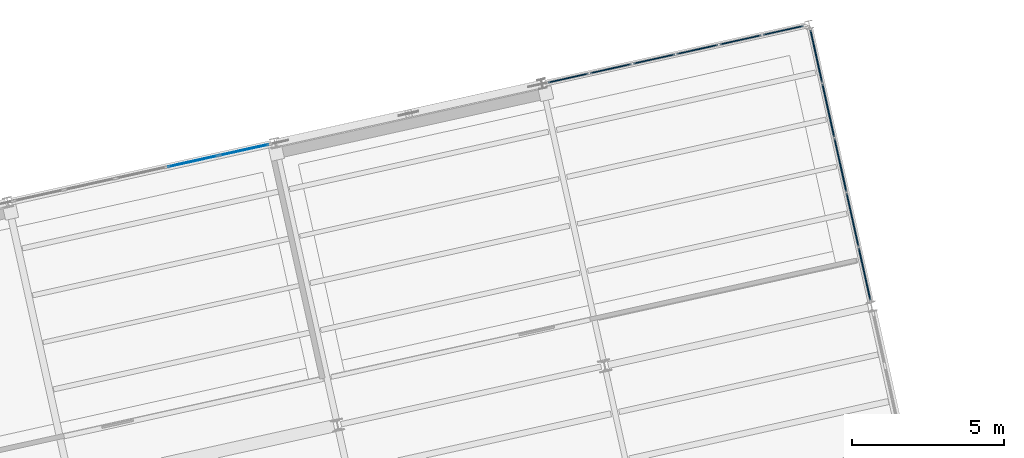
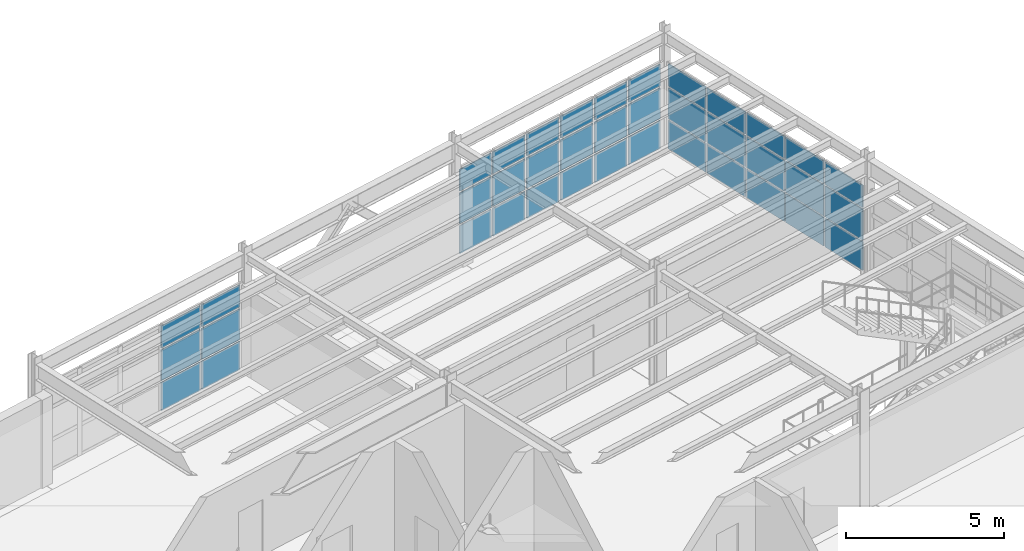
# One storey, part 73 of 102: 39 plates, 3 elements without a shape of their own.
"""IFC4 building model written with IfcOpenShell, lengths in metres."""

from ifc_helpers import new_model, si_unit, direction, frame, origin, origin_2d, place, context, subcontext, project, spatial, rectangle, extrude, material, layer, layer_set, type_object, element, aggregate, save


model = new_model("IFC4")

# Units and contexts
model_context = context("Model", 3, precision=1e-05, world=origin(), true_north=direction((0.0, 1.0)))
body_context = subcontext(model_context, "Body", "Model", "MODEL_VIEW")
ifc_project = project(units=[si_unit("LENGTHUNIT", "METRE"), si_unit("AREAUNIT", "SQUARE_METRE"), si_unit("VOLUMEUNIT", "CUBIC_METRE"), si_unit("PLANEANGLEUNIT", "RADIAN"), si_unit("MASSUNIT", "GRAM", prefix="KILO")], contexts=[model_context])

# Site, building, storey
site_placement = place(None, origin())
site = spatial("IfcSite", under=ifc_project, at=site_placement, CompositionType="ELEMENT")
building_placement = place(site_placement, origin())
building = spatial("IfcBuilding", under=site, at=building_placement, Name="Vireo Bluff Cable Station", CompositionType="ELEMENT")
storey_placement = place(building_placement, frame((0.0, 0.0, 9.60009765625)))
storey = spatial("IfcBuildingStorey", under=building, at=storey_placement, Name="L02", CompositionType="ELEMENT", Elevation=9.60009765625)

# Curtain wall, plates
ifc_material_1 = material(Name="Anodized Aluminium 6063-T6", Category="aluminium")
ifc_layer_1 = layer(ifc_material_1, 0.179931640625, Name="Anodized Aluminium 6063-T6")
ifc_layer_set_1 = layer_set([ifc_layer_1], Name="Anodized Aluminium 6063-T6")
curtain_wall_type_1 = type_object("IfcCurtainWallType", Name="CW-UNIT-1650", PredefinedType="USERDEFINED", material=ifc_layer_set_1)
curtain_wall_1_placement = place(storey_placement, origin())
curtain_wall_1 = element("IfcCurtainWall", 1, at=curtain_wall_1_placement, inside=storey, type_object=curtain_wall_type_1, Name="V2 L02 north curtain wall CW-056", ObjectType="UNITISED CURTAIN WALL", PredefinedType="USERDEFINED")
ifc_material_2 = material(Name="Laminated Low-E Insulated Glass", Category="glass")
ifc_layer_2 = layer(ifc_material_2, 0.031982421875, Name="Laminated Low-E Insulated Glass")
ifc_layer_set_2 = layer_set([ifc_layer_2], Name="Laminated Low-E Insulated Glass")
plate_type_1 = type_object("IfcPlateType", Name="CWP-32-2", PredefinedType="CURTAIN_PANEL", material=ifc_layer_set_2)
plate_1_placement = place(storey_placement, frame((134.708251953125, 105.12255859375, 0.06494140625), z_axis=(0.0, 0.0, 1.0), x_axis=(0.976296009224, 0.216439604447, 0.0)))
plate_1 = element("IfcPlate", 2, at=plate_1_placement, type_object=plate_type_1, Name="CW-056 panel 4.1", PredefinedType="CURTAIN_PANEL", context=body_context, shape_type="SweptSolid", body=[
    extrude(rectangle(XDim=1.672119140625, YDim=0.031982421875, at=origin_2d()), origin(), (0.0, 0.0, 1.0), 1.092529296875),
])
plate_2_placement = place(storey_placement, frame((134.708251953125, 105.12255859375, 1.22216796875), z_axis=(0.0, 0.0, 1.0), x_axis=(0.976296009224, 0.216439604447, 0.0)))
plate_2 = element("IfcPlate", 3, at=plate_2_placement, type_object=plate_type_1, Name="CW-056 panel 4.2", PredefinedType="CURTAIN_PANEL", context=body_context, shape_type="SweptSolid", body=[
    extrude(rectangle(XDim=1.672119140625, YDim=0.031982421875, at=origin_2d()), origin(), (0.0, 0.0, 1.0), 1.193115234375),
])
plate_3_placement = place(storey_placement, frame((134.708251953125, 105.12255859375, 2.48046875), z_axis=(0.0, 0.0, 1.0), x_axis=(0.976296009224, 0.216439604447, 0.0)))
plate_3 = element("IfcPlate", 4, at=plate_3_placement, type_object=plate_type_1, Name="CW-056 panel 4.3", PredefinedType="CURTAIN_PANEL", context=body_context, shape_type="SweptSolid", body=[
    extrude(rectangle(XDim=1.672119140625, YDim=0.031982421875, at=origin_2d()), origin(), (0.0, 0.0, 1.0), 0.8544921875),
])
plate_4_placement = place(storey_placement, frame((136.38818359375, 105.494873046875, 0.06494140625), z_axis=(0.0, 0.0, 1.0), x_axis=(0.976296009224, 0.216439604447, 0.0)))
plate_4 = element("IfcPlate", 5, at=plate_4_placement, type_object=plate_type_1, Name="CW-056 panel 5.1", PredefinedType="CURTAIN_PANEL", context=body_context, shape_type="SweptSolid", body=[
    extrude(rectangle(XDim=1.639404296875, YDim=0.031982421875, at=origin_2d()), origin(), (0.0, 0.0, 1.0), 1.092529296875),
])
plate_5_placement = place(storey_placement, frame((136.38818359375, 105.494873046875, 1.22216796875), z_axis=(0.0, 0.0, 1.0), x_axis=(0.976296009224, 0.216439604447, 0.0)))
plate_5 = element("IfcPlate", 6, at=plate_5_placement, type_object=plate_type_1, Name="CW-056 panel 5.2", PredefinedType="CURTAIN_PANEL", context=body_context, shape_type="SweptSolid", body=[
    extrude(rectangle(XDim=1.639404296875, YDim=0.031982421875, at=origin_2d()), origin(), (0.0, 0.0, 1.0), 1.193115234375),
])
plate_6_placement = place(storey_placement, frame((136.38818359375, 105.494873046875, 2.48046875), z_axis=(0.0, 0.0, 1.0), x_axis=(0.976296009224, 0.216439604447, 0.0)))
plate_6 = element("IfcPlate", 7, at=plate_6_placement, type_object=plate_type_1, Name="CW-056 panel 5.3", PredefinedType="CURTAIN_PANEL", context=body_context, shape_type="SweptSolid", body=[
    extrude(rectangle(XDim=1.639404296875, YDim=0.031982421875, at=origin_2d()), origin(), (0.0, 0.0, 1.0), 0.8544921875),
])
aggregate(curtain_wall_1, [plate_1, plate_2, plate_3, plate_4, plate_5, plate_6])

ifc_layer_3 = layer(ifc_material_1, 0.179931640625, Name="Anodized Aluminium 6063-T6")
ifc_layer_set_3 = layer_set([ifc_layer_3], Name="Anodized Aluminium 6063-T6")
curtain_wall_type_2 = type_object("IfcCurtainWallType", Name="CW-UNIT-1400", PredefinedType="USERDEFINED", material=ifc_layer_set_3)
curtain_wall_2_placement = place(storey_placement, origin())
curtain_wall_2 = element("IfcCurtainWall", 8, at=curtain_wall_2_placement, inside=storey, type_object=curtain_wall_type_2, Name="V2 L02 north curtain wall CW-057", ObjectType="UNITISED CURTAIN WALL", PredefinedType="USERDEFINED")
ifc_layer_4 = layer(ifc_material_2, 0.035888671875, Name="Laminated Low-E Insulated Glass")
ifc_layer_set_4 = layer_set([ifc_layer_4], Name="Laminated Low-E Insulated Glass")
plate_type_2 = type_object("IfcPlateType", Name="CWP-36-3", PredefinedType="CURTAIN_PANEL", material=ifc_layer_set_4)
plate_7_placement = place(storey_placement, frame((147.046875, 107.85791015625, 0.0751953125), z_axis=(0.0, 0.0, 1.0), x_axis=(0.976296006776, 0.216439615489, 0.0)))
plate_7 = element("IfcPlate", 9, at=plate_7_placement, type_object=plate_type_2, Name="CW-057 panel 1.1", PredefinedType="CURTAIN_PANEL", context=body_context, shape_type="SweptSolid", body=[
    extrude(rectangle(XDim=1.344482421875, YDim=0.035888671875, at=origin_2d()), origin(), (0.0, 0.0, 1.0), 1.077392578125),
])
plate_8_placement = place(storey_placement, frame((147.046875, 107.85791015625, 1.227294921875), z_axis=(0.0, 0.0, 1.0), x_axis=(0.976296006776, 0.216439615489, 0.0)))
plate_8 = element("IfcPlate", 10, at=plate_8_placement, type_object=plate_type_2, Name="CW-057 panel 1.2", PredefinedType="CURTAIN_PANEL", context=body_context, shape_type="SweptSolid", body=[
    extrude(rectangle(XDim=1.344482421875, YDim=0.035888671875, at=origin_2d()), origin(), (0.0, 0.0, 1.0), 1.18310546875),
])
plate_9_placement = place(storey_placement, frame((147.046875, 107.85791015625, 2.4853515625), z_axis=(0.0, 0.0, 1.0), x_axis=(0.976296006776, 0.216439615489, 0.0)))
plate_9 = element("IfcPlate", 11, at=plate_9_placement, type_object=plate_type_2, Name="CW-057 panel 1.3", PredefinedType="CURTAIN_PANEL", context=body_context, shape_type="SweptSolid", body=[
    extrude(rectangle(XDim=1.344482421875, YDim=0.035888671875, at=origin_2d()), origin(), (0.0, 0.0, 1.0), 0.839599609375),
])
plate_10_placement = place(storey_placement, frame((148.450927734375, 108.169189453125, 0.0751953125), z_axis=(0.0, 0.0, 1.0), x_axis=(0.976296006776, 0.216439615489, 0.0)))
plate_10 = element("IfcPlate", 12, at=plate_10_placement, type_object=plate_type_2, Name="CW-057 panel 2.1", PredefinedType="CURTAIN_PANEL", context=body_context, shape_type="SweptSolid", body=[
    extrude(rectangle(XDim=1.3818359375, YDim=0.035888671875, at=origin_2d()), origin(), (0.0, 0.0, 1.0), 1.077392578125),
])
plate_11_placement = place(storey_placement, frame((148.450927734375, 108.169189453125, 1.227294921875), z_axis=(0.0, 0.0, 1.0), x_axis=(0.976296006776, 0.216439615489, 0.0)))
plate_11 = element("IfcPlate", 13, at=plate_11_placement, type_object=plate_type_2, Name="CW-057 panel 2.2", PredefinedType="CURTAIN_PANEL", context=body_context, shape_type="SweptSolid", body=[
    extrude(rectangle(XDim=1.3818359375, YDim=0.035888671875, at=origin_2d()), origin(), (0.0, 0.0, 1.0), 1.18310546875),
])
plate_12_placement = place(storey_placement, frame((148.450927734375, 108.169189453125, 2.4853515625), z_axis=(0.0, 0.0, 1.0), x_axis=(0.976296006776, 0.216439615489, 0.0)))
plate_12 = element("IfcPlate", 14, at=plate_12_placement, type_object=plate_type_2, Name="CW-057 panel 2.3", PredefinedType="CURTAIN_PANEL", context=body_context, shape_type="SweptSolid", body=[
    extrude(rectangle(XDim=1.3818359375, YDim=0.035888671875, at=origin_2d()), origin(), (0.0, 0.0, 1.0), 0.839599609375),
])
plate_13_placement = place(storey_placement, frame((149.873291015625, 108.484619140625, 0.0751953125), z_axis=(0.0, 0.0, 1.0), x_axis=(0.976296006776, 0.216439615489, 0.0)))
plate_13 = element("IfcPlate", 15, at=plate_13_placement, type_object=plate_type_2, Name="CW-057 panel 3.1", PredefinedType="CURTAIN_PANEL", context=body_context, shape_type="SweptSolid", body=[
    extrude(rectangle(XDim=1.3818359375, YDim=0.035888671875, at=origin_2d()), origin(), (0.0, 0.0, 1.0), 1.077392578125),
])
plate_14_placement = place(storey_placement, frame((149.873291015625, 108.484619140625, 1.227294921875), z_axis=(0.0, 0.0, 1.0), x_axis=(0.976296006776, 0.216439615489, 0.0)))
plate_14 = element("IfcPlate", 16, at=plate_14_placement, type_object=plate_type_2, Name="CW-057 panel 3.2", PredefinedType="CURTAIN_PANEL", context=body_context, shape_type="SweptSolid", body=[
    extrude(rectangle(XDim=1.3818359375, YDim=0.035888671875, at=origin_2d()), origin(), (0.0, 0.0, 1.0), 1.18310546875),
])
plate_15_placement = place(storey_placement, frame((149.873291015625, 108.484619140625, 2.4853515625), z_axis=(0.0, 0.0, 1.0), x_axis=(0.976296006776, 0.216439615489, 0.0)))
plate_15 = element("IfcPlate", 17, at=plate_15_placement, type_object=plate_type_2, Name="CW-057 panel 3.3", PredefinedType="CURTAIN_PANEL", context=body_context, shape_type="SweptSolid", body=[
    extrude(rectangle(XDim=1.3818359375, YDim=0.035888671875, at=origin_2d()), origin(), (0.0, 0.0, 1.0), 0.839599609375),
])
plate_16_placement = place(storey_placement, frame((151.295654296875, 108.7998046875, 0.0751953125), z_axis=(0.0, 0.0, 1.0), x_axis=(0.976296006776, 0.216439615489, 0.0)))
plate_16 = element("IfcPlate", 18, at=plate_16_placement, type_object=plate_type_2, Name="CW-057 panel 4.1", PredefinedType="CURTAIN_PANEL", context=body_context, shape_type="SweptSolid", body=[
    extrude(rectangle(XDim=1.3818359375, YDim=0.035888671875, at=origin_2d()), origin(), (0.0, 0.0, 1.0), 1.077392578125),
])
plate_17_placement = place(storey_placement, frame((151.295654296875, 108.7998046875, 1.227294921875), z_axis=(0.0, 0.0, 1.0), x_axis=(0.976296006776, 0.216439615489, 0.0)))
plate_17 = element("IfcPlate", 19, at=plate_17_placement, type_object=plate_type_2, Name="CW-057 panel 4.2", PredefinedType="CURTAIN_PANEL", context=body_context, shape_type="SweptSolid", body=[
    extrude(rectangle(XDim=1.3818359375, YDim=0.035888671875, at=origin_2d()), origin(), (0.0, 0.0, 1.0), 1.18310546875),
])
plate_18_placement = place(storey_placement, frame((151.295654296875, 108.7998046875, 2.4853515625), z_axis=(0.0, 0.0, 1.0), x_axis=(0.976296006776, 0.216439615489, 0.0)))
plate_18 = element("IfcPlate", 20, at=plate_18_placement, type_object=plate_type_2, Name="CW-057 panel 4.3", PredefinedType="CURTAIN_PANEL", context=body_context, shape_type="SweptSolid", body=[
    extrude(rectangle(XDim=1.3818359375, YDim=0.035888671875, at=origin_2d()), origin(), (0.0, 0.0, 1.0), 0.839599609375),
])
plate_19_placement = place(storey_placement, frame((152.718017578125, 109.115234375, 0.0751953125), z_axis=(0.0, 0.0, 1.0), x_axis=(0.976296006776, 0.216439615489, 0.0)))
plate_19 = element("IfcPlate", 21, at=plate_19_placement, type_object=plate_type_2, Name="CW-057 panel 5.1", PredefinedType="CURTAIN_PANEL", context=body_context, shape_type="SweptSolid", body=[
    extrude(rectangle(XDim=1.3818359375, YDim=0.035888671875, at=origin_2d()), origin(), (0.0, 0.0, 1.0), 1.077392578125),
])
plate_20_placement = place(storey_placement, frame((152.718017578125, 109.115234375, 1.227294921875), z_axis=(0.0, 0.0, 1.0), x_axis=(0.976296006776, 0.216439615489, 0.0)))
plate_20 = element("IfcPlate", 22, at=plate_20_placement, type_object=plate_type_2, Name="CW-057 panel 5.2", PredefinedType="CURTAIN_PANEL", context=body_context, shape_type="SweptSolid", body=[
    extrude(rectangle(XDim=1.3818359375, YDim=0.035888671875, at=origin_2d()), origin(), (0.0, 0.0, 1.0), 1.18310546875),
])
plate_21_placement = place(storey_placement, frame((152.718017578125, 109.115234375, 2.4853515625), z_axis=(0.0, 0.0, 1.0), x_axis=(0.976296006776, 0.216439615489, 0.0)))
plate_21 = element("IfcPlate", 23, at=plate_21_placement, type_object=plate_type_2, Name="CW-057 panel 5.3", PredefinedType="CURTAIN_PANEL", context=body_context, shape_type="SweptSolid", body=[
    extrude(rectangle(XDim=1.3818359375, YDim=0.035888671875, at=origin_2d()), origin(), (0.0, 0.0, 1.0), 0.839599609375),
])
plate_22_placement = place(storey_placement, frame((154.122314453125, 109.426513671875, 0.0751953125), z_axis=(0.0, 0.0, 1.0), x_axis=(0.976296006776, 0.216439615489, 0.0)))
plate_22 = element("IfcPlate", 24, at=plate_22_placement, type_object=plate_type_2, Name="CW-057 panel 6.1", PredefinedType="CURTAIN_PANEL", context=body_context, shape_type="SweptSolid", body=[
    extrude(rectangle(XDim=1.344482421875, YDim=0.035888671875, at=origin_2d()), origin(), (0.0, 0.0, 1.0), 1.077392578125),
])
plate_23_placement = place(storey_placement, frame((154.122314453125, 109.426513671875, 1.227294921875), z_axis=(0.0, 0.0, 1.0), x_axis=(0.976296006776, 0.216439615489, 0.0)))
plate_23 = element("IfcPlate", 25, at=plate_23_placement, type_object=plate_type_2, Name="CW-057 panel 6.2", PredefinedType="CURTAIN_PANEL", context=body_context, shape_type="SweptSolid", body=[
    extrude(rectangle(XDim=1.344482421875, YDim=0.035888671875, at=origin_2d()), origin(), (0.0, 0.0, 1.0), 1.18310546875),
])
plate_24_placement = place(storey_placement, frame((154.122314453125, 109.426513671875, 2.4853515625), z_axis=(0.0, 0.0, 1.0), x_axis=(0.976296006776, 0.216439615489, 0.0)))
plate_24 = element("IfcPlate", 26, at=plate_24_placement, type_object=plate_type_2, Name="CW-057 panel 6.3", PredefinedType="CURTAIN_PANEL", context=body_context, shape_type="SweptSolid", body=[
    extrude(rectangle(XDim=1.344482421875, YDim=0.035888671875, at=origin_2d()), origin(), (0.0, 0.0, 1.0), 0.839599609375),
])
aggregate(curtain_wall_2, [plate_7, plate_8, plate_9, plate_10, plate_11, plate_12, plate_13, plate_14, plate_15, plate_16, plate_17, plate_18, plate_19, plate_20, plate_21, plate_22, plate_23, plate_24])

ifc_layer_5 = layer(ifc_material_1, 0.159912109375, Name="Anodized Aluminium 6063-T6")
ifc_layer_set_5 = layer_set([ifc_layer_5], Name="Anodized Aluminium 6063-T6")
curtain_wall_type_3 = type_object("IfcCurtainWallType", Name="CW-STICK-1750", PredefinedType="USERDEFINED", material=ifc_layer_set_5)
curtain_wall_3_placement = place(storey_placement, origin())
curtain_wall_3 = element("IfcCurtainWall", 27, at=curtain_wall_3_placement, inside=storey, type_object=curtain_wall_type_3, Name="V2 L02 east curtain wall CW-058", ObjectType="STICK CURTAIN WALL", PredefinedType="USERDEFINED")
ifc_material_3 = material(Name="Insulated Spandrel Glass Panel", Category="glass")
ifc_layer_6 = layer(ifc_material_3, 0.0419921875, Name="Insulated Spandrel Glass Panel")
ifc_layer_set_6 = layer_set([ifc_layer_6], Name="Insulated Spandrel Glass Panel")
plate_type_3 = type_object("IfcPlateType", Name="CWP-42-4", PredefinedType="CURTAIN_PANEL", material=ifc_layer_set_6)
plate_25_placement = place(storey_placement, frame((155.208740234375, 108.575927734375, 0.059814453125), z_axis=(0.0, 0.0, 1.0), x_axis=(0.216439690173, -0.976295990219, 0.0)))
plate_25 = element("IfcPlate", 28, at=plate_25_placement, type_object=plate_type_3, Name="CW-058 panel 1.1", PredefinedType="CURTAIN_PANEL", context=body_context, shape_type="SweptSolid", body=[
    extrude(rectangle(XDim=1.751220703125, YDim=0.0419921875, at=origin_2d()), origin(), (0.0, 0.0, 1.0), 1.10009765625),
])
plate_26_placement = place(storey_placement, frame((155.208740234375, 108.575927734375, 1.2197265625), z_axis=(0.0, 0.0, 1.0), x_axis=(0.216439690173, -0.976295990219, 0.0)))
plate_26 = element("IfcPlate", 29, at=plate_26_placement, type_object=plate_type_3, Name="CW-058 panel 1.2", PredefinedType="CURTAIN_PANEL", context=body_context, shape_type="SweptSolid", body=[
    extrude(rectangle(XDim=1.751220703125, YDim=0.0419921875, at=origin_2d()), origin(), (0.0, 0.0, 1.0), 1.197998046875),
])
plate_27_placement = place(storey_placement, frame((155.208740234375, 108.575927734375, 2.47802734375), z_axis=(0.0, 0.0, 1.0), x_axis=(0.216439690173, -0.976295990219, 0.0)))
plate_27 = element("IfcPlate", 30, at=plate_27_placement, type_object=plate_type_3, Name="CW-058 panel 1.3", PredefinedType="CURTAIN_PANEL", context=body_context, shape_type="SweptSolid", body=[
    extrude(rectangle(XDim=1.751220703125, YDim=0.0419921875, at=origin_2d()), origin(), (0.0, 0.0, 1.0), 0.862060546875),
])
plate_28_placement = place(storey_placement, frame((155.60400390625, 106.79296875, 0.059814453125), z_axis=(0.0, 0.0, 1.0), x_axis=(0.216439690173, -0.976295990219, 0.0)))
plate_28 = element("IfcPlate", 31, at=plate_28_placement, type_object=plate_type_3, Name="CW-058 panel 2.1", PredefinedType="CURTAIN_PANEL", context=body_context, shape_type="SweptSolid", body=[
    extrude(rectangle(XDim=1.78125, YDim=0.0419921875, at=origin_2d()), origin(), (0.0, 0.0, 1.0), 1.10009765625),
])
plate_29_placement = place(storey_placement, frame((155.60400390625, 106.79296875, 1.2197265625), z_axis=(0.0, 0.0, 1.0), x_axis=(0.216439690173, -0.976295990219, 0.0)))
plate_29 = element("IfcPlate", 32, at=plate_29_placement, type_object=plate_type_3, Name="CW-058 panel 2.2", PredefinedType="CURTAIN_PANEL", context=body_context, shape_type="SweptSolid", body=[
    extrude(rectangle(XDim=1.78125, YDim=0.0419921875, at=origin_2d()), origin(), (0.0, 0.0, 1.0), 1.197998046875),
])
plate_30_placement = place(storey_placement, frame((155.60400390625, 106.79296875, 2.47802734375), z_axis=(0.0, 0.0, 1.0), x_axis=(0.216439690173, -0.976295990219, 0.0)))
plate_30 = element("IfcPlate", 33, at=plate_30_placement, type_object=plate_type_3, Name="CW-058 panel 2.3", PredefinedType="CURTAIN_PANEL", context=body_context, shape_type="SweptSolid", body=[
    extrude(rectangle(XDim=1.78125, YDim=0.0419921875, at=origin_2d()), origin(), (0.0, 0.0, 1.0), 0.862060546875),
])
plate_31_placement = place(storey_placement, frame((156.002685546875, 104.9951171875, 0.059814453125), z_axis=(0.0, 0.0, 1.0), x_axis=(0.216439690173, -0.976295990219, 0.0)))
plate_31 = element("IfcPlate", 34, at=plate_31_placement, type_object=plate_type_3, Name="CW-058 panel 3.1", PredefinedType="CURTAIN_PANEL", context=body_context, shape_type="SweptSolid", body=[
    extrude(rectangle(XDim=1.78125, YDim=0.0419921875, at=origin_2d()), origin(), (0.0, 0.0, 1.0), 1.10009765625),
])
plate_32_placement = place(storey_placement, frame((156.002685546875, 104.9951171875, 1.2197265625), z_axis=(0.0, 0.0, 1.0), x_axis=(0.216439690173, -0.976295990219, 0.0)))
plate_32 = element("IfcPlate", 35, at=plate_32_placement, type_object=plate_type_3, Name="CW-058 panel 3.2", PredefinedType="CURTAIN_PANEL", context=body_context, shape_type="SweptSolid", body=[
    extrude(rectangle(XDim=1.78125, YDim=0.0419921875, at=origin_2d()), origin(), (0.0, 0.0, 1.0), 1.197998046875),
])
plate_33_placement = place(storey_placement, frame((156.002685546875, 104.9951171875, 2.47802734375), z_axis=(0.0, 0.0, 1.0), x_axis=(0.216439690173, -0.976295990219, 0.0)))
plate_33 = element("IfcPlate", 36, at=plate_33_placement, type_object=plate_type_3, Name="CW-058 panel 3.3", PredefinedType="CURTAIN_PANEL", context=body_context, shape_type="SweptSolid", body=[
    extrude(rectangle(XDim=1.78125, YDim=0.0419921875, at=origin_2d()), origin(), (0.0, 0.0, 1.0), 0.862060546875),
])
plate_34_placement = place(storey_placement, frame((156.401123046875, 103.197509765625, 0.059814453125), z_axis=(0.0, 0.0, 1.0), x_axis=(0.216439690173, -0.976295990219, 0.0)))
plate_34 = element("IfcPlate", 37, at=plate_34_placement, type_object=plate_type_3, Name="CW-058 panel 4.1", PredefinedType="CURTAIN_PANEL", context=body_context, shape_type="SweptSolid", body=[
    extrude(rectangle(XDim=1.78125, YDim=0.0419921875, at=origin_2d()), origin(), (0.0, 0.0, 1.0), 1.10009765625),
])
plate_35_placement = place(storey_placement, frame((156.401123046875, 103.197509765625, 1.2197265625), z_axis=(0.0, 0.0, 1.0), x_axis=(0.216439690173, -0.976295990219, 0.0)))
plate_35 = element("IfcPlate", 38, at=plate_35_placement, type_object=plate_type_3, Name="CW-058 panel 4.2", PredefinedType="CURTAIN_PANEL", context=body_context, shape_type="SweptSolid", body=[
    extrude(rectangle(XDim=1.78125, YDim=0.0419921875, at=origin_2d()), origin(), (0.0, 0.0, 1.0), 1.197998046875),
])
plate_36_placement = place(storey_placement, frame((156.401123046875, 103.197509765625, 2.47802734375), z_axis=(0.0, 0.0, 1.0), x_axis=(0.216439690173, -0.976295990219, 0.0)))
plate_36 = element("IfcPlate", 39, at=plate_36_placement, type_object=plate_type_3, Name="CW-058 panel 4.3", PredefinedType="CURTAIN_PANEL", context=body_context, shape_type="SweptSolid", body=[
    extrude(rectangle(XDim=1.78125, YDim=0.0419921875, at=origin_2d()), origin(), (0.0, 0.0, 1.0), 0.862060546875),
])
plate_37_placement = place(storey_placement, frame((156.79638671875, 101.41455078125, 0.059814453125), z_axis=(0.0, 0.0, 1.0), x_axis=(0.216439690173, -0.976295990219, 0.0)))
plate_37 = element("IfcPlate", 40, at=plate_37_placement, type_object=plate_type_3, Name="CW-058 panel 5.1", PredefinedType="CURTAIN_PANEL", context=body_context, shape_type="SweptSolid", body=[
    extrude(rectangle(XDim=1.751220703125, YDim=0.0419921875, at=origin_2d()), origin(), (0.0, 0.0, 1.0), 1.10009765625),
])
plate_38_placement = place(storey_placement, frame((156.79638671875, 101.41455078125, 1.2197265625), z_axis=(0.0, 0.0, 1.0), x_axis=(0.216439690173, -0.976295990219, 0.0)))
plate_38 = element("IfcPlate", 41, at=plate_38_placement, type_object=plate_type_3, Name="CW-058 panel 5.2", PredefinedType="CURTAIN_PANEL", context=body_context, shape_type="SweptSolid", body=[
    extrude(rectangle(XDim=1.751220703125, YDim=0.0419921875, at=origin_2d()), origin(), (0.0, 0.0, 1.0), 1.197998046875),
])
plate_39_placement = place(storey_placement, frame((156.79638671875, 101.41455078125, 2.47802734375), z_axis=(0.0, 0.0, 1.0), x_axis=(0.216439690173, -0.976295990219, 0.0)))
plate_39 = element("IfcPlate", 42, at=plate_39_placement, type_object=plate_type_3, Name="CW-058 panel 5.3", PredefinedType="CURTAIN_PANEL", context=body_context, shape_type="SweptSolid", body=[
    extrude(rectangle(XDim=1.751220703125, YDim=0.0419921875, at=origin_2d()), origin(), (0.0, 0.0, 1.0), 0.862060546875),
])
aggregate(curtain_wall_3, [plate_25, plate_26, plate_27, plate_28, plate_29, plate_30, plate_31, plate_32, plate_33, plate_34, plate_35, plate_36, plate_37, plate_38, plate_39])

save(model, "model.ifc")
